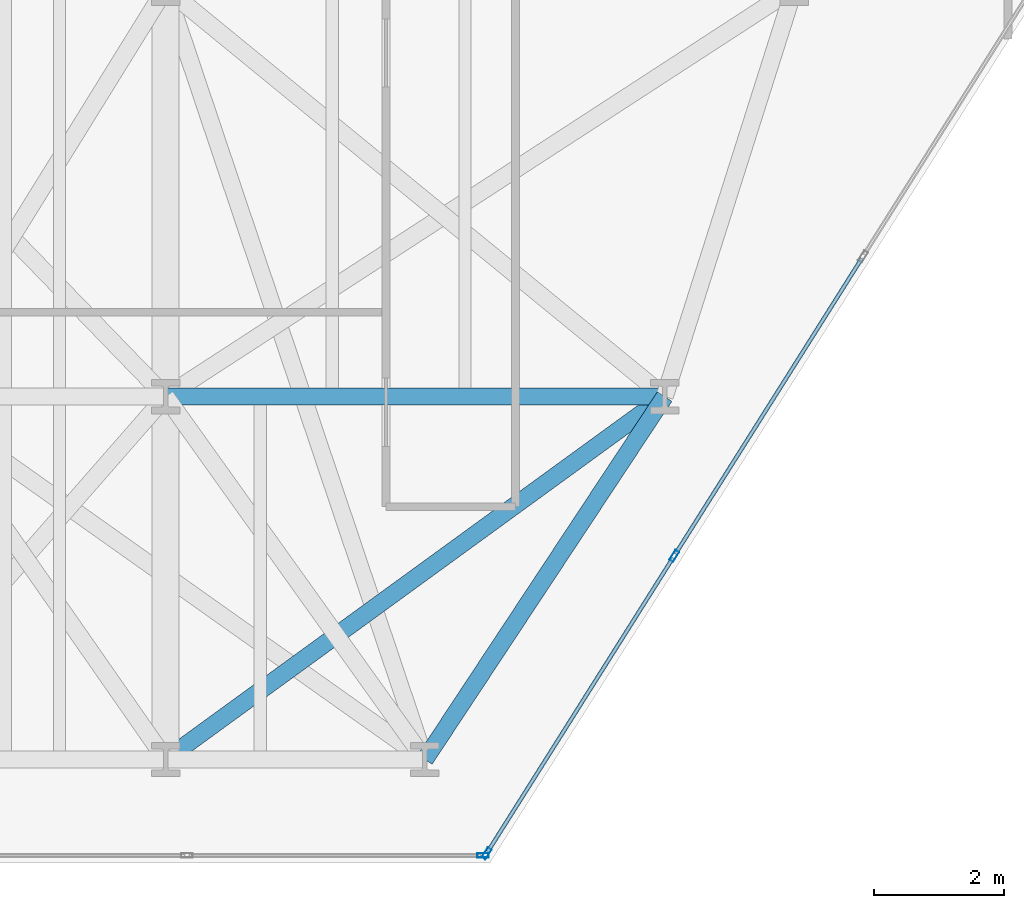
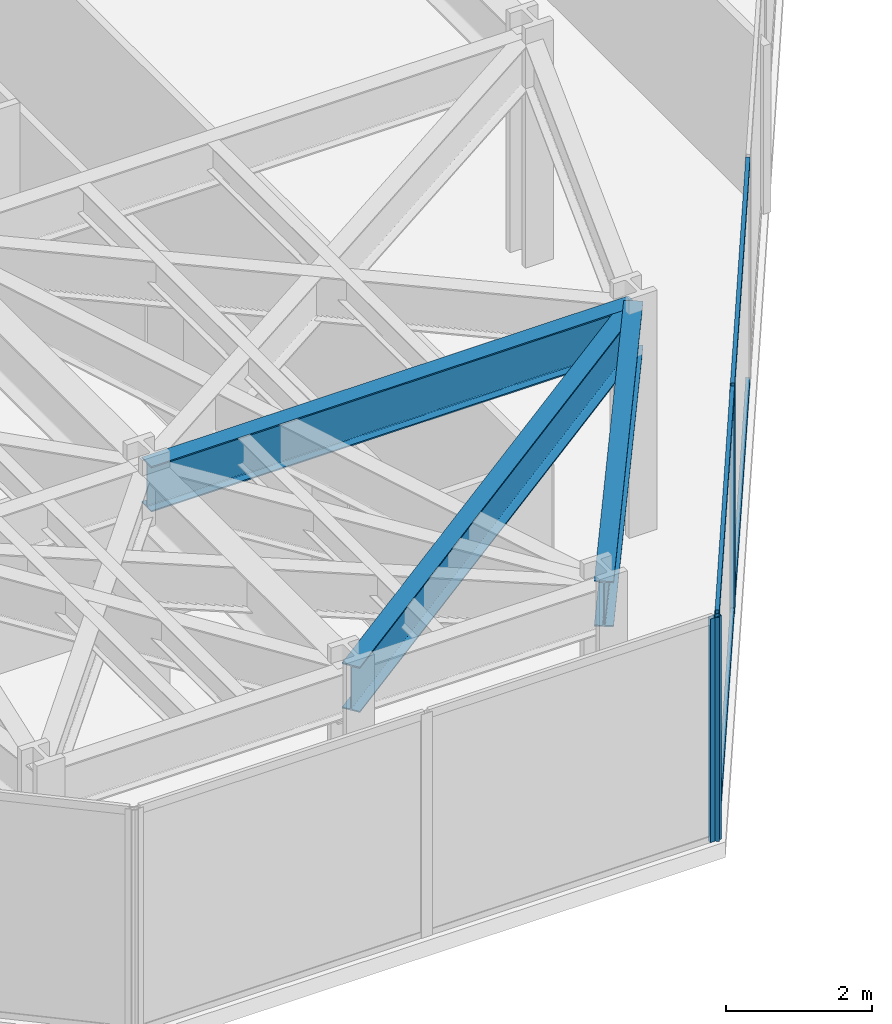
# One storey, part 5 of 24: 7 members, 3 beams, 2 elements without a shape of their own.
"""IFC4 building model written with IfcOpenShell, lengths in metres."""

from ifc_helpers import new_model, si_unit, direction, frame, origin, origin_2d, place, context, subcontext, project, spatial, hollow_rectangle, i_section, extrude, material, layer, layer_set, material_profile, profile_set, type_object, element, aggregate, save


model = new_model("IFC4")

# Units and contexts
model_context = context("Model", 3, precision=1e-05, world=origin(), true_north=direction((0.0, 1.0)))
body_context = subcontext(model_context, "Body", "Model", "MODEL_VIEW")
ifc_project = project(units=[si_unit("LENGTHUNIT", "METRE"), si_unit("AREAUNIT", "SQUARE_METRE"), si_unit("VOLUMEUNIT", "CUBIC_METRE"), si_unit("PLANEANGLEUNIT", "RADIAN"), si_unit("MASSUNIT", "GRAM", prefix="KILO")], contexts=[model_context])

# Site, building, storey
site_placement = place(None, origin())
site = spatial("IfcSite", under=ifc_project, at=site_placement, CompositionType="ELEMENT")
building_placement = place(site_placement, origin())
building = spatial("IfcBuilding", under=site, at=building_placement, Name="Kravanh Interchange Tower", CompositionType="ELEMENT")
storey_placement = place(building_placement, frame((0.0, 0.0, 53.5)))
storey = spatial("IfcBuildingStorey", under=building, at=storey_placement, Name="L12", CompositionType="ELEMENT", Elevation=53.5)

# Curtain wall, members
ifc_material_1 = material(Name="Anodised Bronze Aluminium", Category="aluminium")
ifc_layer = layer(ifc_material_1, 0.179931640625)
ifc_layer_set = layer_set([ifc_layer], Name="Unitised Curtain Wall System CW-Z1 Lower Office")
curtain_wall_type = type_object("IfcCurtainWallType", Name="Unitised Curtain Wall System CW-Z1 Lower Office", PredefinedType="NOTDEFINED", material=ifc_layer_set)
curtain_wall_1_placement = place(storey_placement, origin())
curtain_wall_1 = element("IfcCurtainWall", 1, at=curtain_wall_1_placement, inside=storey, type_object=curtain_wall_type, Name="L12 Unitised Curtain Wall CW-L12-05", PredefinedType="NOTDEFINED")
ifc_material_2 = material(Name="Anodised Bronze Aluminium", Category="aluminium")
ifc_material_profile_1 = material_profile(ifc_material_2, hollow_rectangle(XDim=0.070068359375, YDim=0.179931640625, WallThickness=0.00390625, at=origin_2d()), Name="ALU70X180X4")
ifc_profile_set_1 = profile_set([ifc_material_profile_1], Name="Anodised Bronze Aluminium")
member_type_1 = type_object("IfcMemberType", Name="Curtain Wall Mullion ALU70X180X4 Bronze", PredefinedType="MULLION", material=ifc_profile_set_1)
member_1_placement = place(storey_placement, frame((25.346923828125, 5.740966796875, 0.0), z_axis=(0.0, 0.0, 1.0), x_axis=(0.845925530786, -0.53330103728, 0.0)))
member_1 = element("IfcMember", 2, at=member_1_placement, type_object=member_type_1, Name="CW-Z1 mullion 5", PredefinedType="MULLION", context=body_context, shape_type="SweptSolid", body=[
    extrude(hollow_rectangle(XDim=0.070068359375, YDim=0.179931640625, WallThickness=0.00390625, at=origin_2d()), origin(), (0.0, 0.0, 1.0), 3.739990234375),
])
member_2_placement = place(storey_placement, frame((22.452392578125, 1.149658203125, 0.0), z_axis=(0.0, 0.0, 1.0), x_axis=(0.845925530786, -0.53330103728, 0.0)))
member_2 = element("IfcMember", 3, at=member_2_placement, type_object=member_type_1, Name="CW-Z1 mullion 6", PredefinedType="MULLION", context=body_context, shape_type="SweptSolid", body=[
    extrude(hollow_rectangle(XDim=0.070068359375, YDim=0.179931640625, WallThickness=0.00390625, at=origin_2d()), origin(), (0.0, 0.0, 1.0), 3.739990234375),
])

# Curtain wall, member
curtain_wall_2_placement = place(storey_placement, origin())
curtain_wall_2 = element("IfcCurtainWall", 4, at=curtain_wall_2_placement, inside=storey, type_object=curtain_wall_type, Name="L12 Unitised Curtain Wall CW-L12-06", PredefinedType="NOTDEFINED")
member_3_placement = place(storey_placement, frame((22.398681640625, 1.1201171875, 0.0), z_axis=(0.0, 0.0, 1.0), x_axis=(0.0, -1.0, 0.0)))
member_3 = element("IfcMember", 5, at=member_3_placement, type_object=member_type_1, Name="CW-Z1 mullion 1", PredefinedType="MULLION", context=body_context, shape_type="SweptSolid", body=[
    extrude(hollow_rectangle(XDim=0.070068359375, YDim=0.179931640625, WallThickness=0.00390625, at=origin_2d()), origin(), (0.0, 0.0, 1.0), 3.739990234375),
])
aggregate(curtain_wall_2, [member_3])

# Member
ifc_material_3 = material(Name="Anodised Bronze Aluminium", Category="aluminium")
ifc_material_profile_2 = material_profile(ifc_material_3, hollow_rectangle(XDim=0.06005859375, YDim=0.139892578125, WallThickness=0.00390625, at=origin_2d()), Name="ALU60X140X4")
ifc_profile_set_2 = profile_set([ifc_material_profile_2], Name="Anodised Bronze Aluminium")
member_type_2 = type_object("IfcMemberType", Name="Curtain Wall Transom ALU60X140X4 Bronze", PredefinedType="USERDEFINED", material=ifc_profile_set_2)
member_4_placement = place(storey_placement, frame((28.24169921875, 10.332275390625, 0.030029296875), z_axis=(-0.533311487456, -0.84591894254, 0.0), x_axis=(0.84591894254, -0.533311487456, 0.0)))
member_4 = element("IfcMember", 6, at=member_4_placement, type_object=member_type_2, Name="CW-Z1 transom 4.1", ObjectType="TRANSOM", PredefinedType="USERDEFINED", context=body_context, shape_type="SweptSolid", body=[
    extrude(hollow_rectangle(XDim=0.06005859375, YDim=0.139892578125, WallThickness=0.00390625, at=origin_2d()), origin(), (0.0, 0.0, 1.0), 5.392578125),
])

member_5_placement = place(storey_placement, frame((28.24169921875, 10.332275390625, 3.7099609375), z_axis=(-0.533311487456, -0.84591894254, 0.0), x_axis=(0.84591894254, -0.533311487456, 0.0)))
member_5 = element("IfcMember", 7, at=member_5_placement, type_object=member_type_2, Name="CW-Z1 transom 4.2", ObjectType="TRANSOM", PredefinedType="USERDEFINED", context=body_context, shape_type="SweptSolid", body=[
    extrude(hollow_rectangle(XDim=0.06005859375, YDim=0.139892578125, WallThickness=0.00390625, at=origin_2d()), origin(), (0.0, 0.0, 1.0), 5.392578125),
])

member_6_placement = place(storey_placement, frame((25.328369140625, 5.71142578125, 0.030029296875), z_axis=(-0.533288163518, -0.845933646719, 0.0), x_axis=(0.845933646719, -0.533288163518, 0.0)))
member_6 = element("IfcMember", 8, at=member_6_placement, type_object=member_type_2, Name="CW-Z1 transom 5.1", ObjectType="TRANSOM", PredefinedType="USERDEFINED", context=body_context, shape_type="SweptSolid", body=[
    extrude(hollow_rectangle(XDim=0.06005859375, YDim=0.139892578125, WallThickness=0.00390625, at=origin_2d()), origin(), (0.0, 0.0, 1.0), 5.357666015625),
])

member_7_placement = place(storey_placement, frame((25.328369140625, 5.71142578125, 3.7099609375), z_axis=(-0.533288163518, -0.845933646719, 0.0), x_axis=(0.845933646719, -0.533288163518, 0.0)))
member_7 = element("IfcMember", 9, at=member_7_placement, type_object=member_type_2, Name="CW-Z1 transom 5.2", ObjectType="TRANSOM", PredefinedType="USERDEFINED", context=body_context, shape_type="SweptSolid", body=[
    extrude(hollow_rectangle(XDim=0.06005859375, YDim=0.139892578125, WallThickness=0.00390625, at=origin_2d()), origin(), (0.0, 0.0, 1.0), 5.357666015625),
])

aggregate(curtain_wall_1, [member_1, member_2, member_4, member_5, member_6, member_7])

# Beams
ifc_material_4 = material(Name="Structural Steel S355", Category="steel")
ifc_material_profile_3 = material_profile(ifc_material_4, i_section(OverallWidth=0.26708984375, OverallDepth=0.761962890625, WebThickness=0.014404296875, FlangeThickness=0.021484375, FilletRadius=0.02490234375, at=origin_2d()), Name="W30X116")
ifc_profile_set_3 = profile_set([ifc_material_profile_3], Name="Structural Steel S355")
beam_type = type_object("IfcBeamType", Name="Floor Spandrel W30X116 Structural Steel S355", PredefinedType="SPANDREL", material=ifc_profile_set_3)
beam_1_placement = place(storey_placement, frame((17.5, 2.60009765625, 3.35888671875), z_axis=(0.808741628611, 0.588164074176, 0.0), x_axis=(-0.588164074176, 0.808741628611, 0.0)))
element("IfcBeam", 10, at=beam_1_placement, inside=storey, type_object=beam_type, Name="L12 Perimeter Spandrel 105", PredefinedType="SPANDREL", context=body_context, shape_type="SweptSolid", body=[
    extrude(i_section(OverallWidth=0.26708984375, OverallDepth=0.761962890625, WebThickness=0.014404296875, FlangeThickness=0.021484375, FilletRadius=0.02490234375, at=origin_2d()), origin(), (0.0, 0.0, 1.0), 9.52099609375),
])
beam_2_placement = place(storey_placement, frame((21.5, 2.60009765625, 3.35888671875), z_axis=(0.551262239226, 0.834332034386, 0.0), x_axis=(-0.834332034386, 0.551262239226, 0.0)))
element("IfcBeam", 11, at=beam_2_placement, inside=storey, type_object=beam_type, Name="L12 Perimeter Spandrel 121", PredefinedType="SPANDREL", context=body_context, shape_type="SweptSolid", body=[
    extrude(i_section(OverallWidth=0.26708984375, OverallDepth=0.761962890625, WebThickness=0.014404296875, FlangeThickness=0.021484375, FilletRadius=0.02490234375, at=origin_2d()), origin(), (0.0, 0.0, 1.0), 6.711669921875),
])
beam_3_placement = place(storey_placement, frame((17.5, 8.199951171875, 3.35888671875), z_axis=(1.0, 0.0, 0.0), x_axis=(0.0, 1.0, 0.0)))
element("IfcBeam", 12, at=beam_3_placement, inside=storey, type_object=beam_type, Name="L12 Perimeter Spandrel 137", PredefinedType="SPANDREL", context=body_context, shape_type="SweptSolid", body=[
    extrude(i_section(OverallWidth=0.26708984375, OverallDepth=0.761962890625, WebThickness=0.014404296875, FlangeThickness=0.021484375, FilletRadius=0.02490234375, at=origin_2d()), origin(), (0.0, 0.0, 1.0), 7.699951171875),
])

save(model, "model.ifc")
